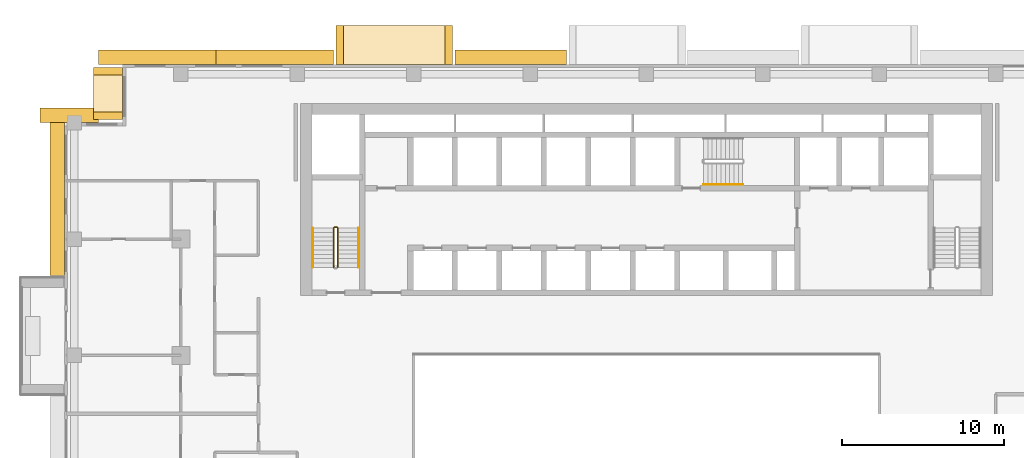
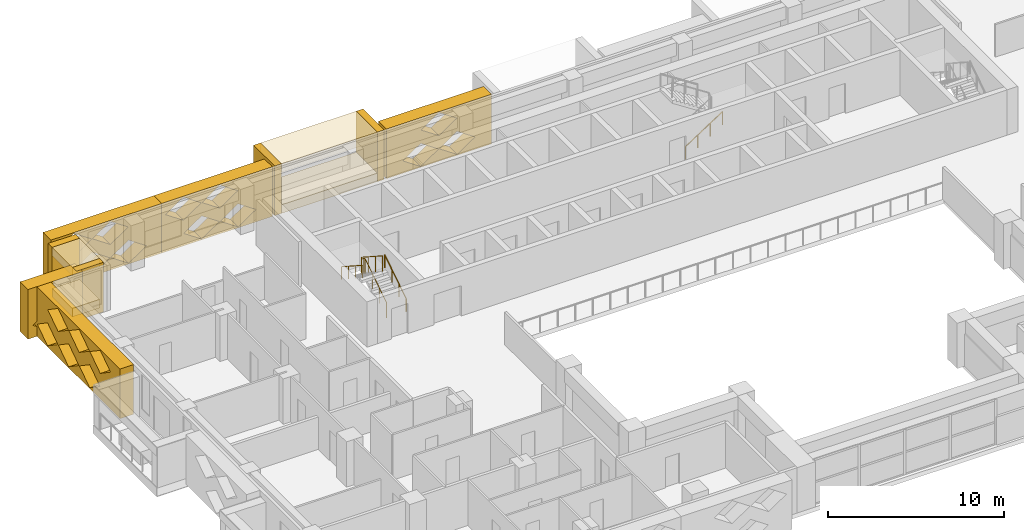
# One storey, part 17 of 19: 13 coverings, 4 railings.
"""IFC4 building model written with IfcOpenShell, lengths in metres."""

from ifc_helpers import new_model, si_unit, direction, frame, origin, origin_2d, place, context, subcontext, project, spatial, polyline, circle, outline, extrude, material, type_object, element, save


model = new_model("IFC4")

# Units and contexts
model_context = context("Model", 3, precision=1e-05, world=origin(), true_north=direction((0.0, 1.0)))
body_context = subcontext(model_context, "Body", "Model", "MODEL_VIEW")
ifc_project = project(units=[si_unit("LENGTHUNIT", "METRE"), si_unit("AREAUNIT", "SQUARE_METRE"), si_unit("VOLUMEUNIT", "CUBIC_METRE"), si_unit("PLANEANGLEUNIT", "RADIAN"), si_unit("MASSUNIT", "GRAM", prefix="KILO")], contexts=[model_context])

# Site, building, storey
site_placement = place(None, origin())
site = spatial("IfcSite", under=ifc_project, at=site_placement, CompositionType="ELEMENT")
building_placement = place(site_placement, origin())
building = spatial("IfcBuilding", under=site, at=building_placement, Name="Saffron Iwan Residences", CompositionType="ELEMENT")
storey_placement = place(building_placement, frame((0.0, 0.0, 134.0)))
storey = spatial("IfcBuildingStorey", under=building, at=storey_placement, Name="L35", CompositionType="ELEMENT", Elevation=134.0)

# Coverings
ifc_material_1 = material(Name="Precast concrete C40/50", Category="concrete")
covering_type_1 = type_object("IfcCoveringType", Name="OUTER SKIN LATTICE SCREEN", PredefinedType="CLADDING", material=ifc_material_1)
covering_1_placement = place(storey_placement, frame((45.449951171875, 80.39990234375, -0.300048828125), z_axis=(0.0, 1.0, 0.0), x_axis=(-1.0, 0.0, 0.0)))
element("IfcCovering", 1, at=covering_1_placement, inside=storey, type_object=covering_type_1, Name="OUTER SKIN lattice screen L35 F5.3", PredefinedType="CLADDING", context=body_context, shape_type="SweptSolid", body=[
    extrude(outline(polyline([(0.0, 0.0), (6.89990234375, 0.0), (6.89990234375, 3.449951171875), (0.0, 3.449951171875), (0.0, 0.0)]), holes=[polyline([(1.070068359375, 0.862548828125), (2.25, 0.06005859375), (3.429931640625, 0.862548828125), (2.25, 1.6650390625), (1.070068359375, 0.862548828125)]), polyline([(3.469970703125, 0.862548828125), (4.64990234375, 0.06005859375), (5.830078125, 0.862548828125), (4.64990234375, 1.6650390625), (3.469970703125, 0.862548828125)]), polyline([(2.27001953125, 2.58740234375), (3.449951171875, 1.784912109375), (4.6298828125, 2.58740234375), (3.449951171875, 3.389892578125), (2.27001953125, 2.58740234375)])]), origin(), (0.0, 0.0, 1.0), 0.900146484375),
])
covering_2_placement = place(storey_placement, frame((31.050048828125, 80.39990234375, -0.300048828125), z_axis=(0.0, 1.0, 0.0), x_axis=(-1.0, 0.0, 0.0)))
element("IfcCovering", 2, at=covering_2_placement, inside=storey, type_object=covering_type_1, Name="OUTER SKIN lattice screen L35 F5.4", PredefinedType="CLADDING", context=body_context, shape_type="SweptSolid", body=[
    extrude(outline(polyline([(0.0, 0.0), (7.27490234375, 0.0), (7.27490234375, 3.449951171875), (0.0, 3.449951171875), (0.0, 0.0)]), holes=[polyline([(1.070068359375, 0.862548828125), (2.25, 0.06005859375), (3.429931640625, 0.862548828125), (2.25, 1.6650390625), (1.070068359375, 0.862548828125)]), polyline([(3.469970703125, 0.862548828125), (4.64990234375, 0.06005859375), (5.830078125, 0.862548828125), (4.64990234375, 1.6650390625), (3.469970703125, 0.862548828125)]), polyline([(2.27001953125, 2.58740234375), (3.449951171875, 1.784912109375), (4.6298828125, 2.58740234375), (3.449951171875, 3.389892578125), (2.27001953125, 2.58740234375)]), polyline([(4.669921875, 2.58740234375), (5.85009765625, 1.784912109375), (7.030029296875, 2.58740234375), (5.85009765625, 3.389892578125), (4.669921875, 2.58740234375)])]), origin(), (0.0, 0.0, 1.0), 0.900146484375),
])
covering_3_placement = place(storey_placement, frame((23.77490234375, 80.39990234375, -0.300048828125), z_axis=(0.0, 1.0, 0.0), x_axis=(-1.0, 0.0, 0.0)))
element("IfcCovering", 3, at=covering_3_placement, inside=storey, type_object=covering_type_1, Name="OUTER SKIN lattice screen L35 F5.5", PredefinedType="CLADDING", context=body_context, shape_type="SweptSolid", body=[
    extrude(outline(polyline([(0.0, 0.0), (7.27490234375, 0.0), (7.27490234375, 3.449951171875), (0.0, 3.449951171875), (0.0, 0.0)]), holes=[polyline([(0.9951171875, 0.862548828125), (2.175048828125, 0.06005859375), (3.35498046875, 0.862548828125), (2.175048828125, 1.6650390625), (0.9951171875, 0.862548828125)]), polyline([(3.39501953125, 0.862548828125), (4.574951171875, 0.06005859375), (5.7548828125, 0.862548828125), (4.574951171875, 1.6650390625), (3.39501953125, 0.862548828125)]), polyline([(2.195068359375, 2.58740234375), (3.375, 1.784912109375), (4.554931640625, 2.58740234375), (3.375, 3.389892578125), (2.195068359375, 2.58740234375)]), polyline([(4.594970703125, 2.58740234375), (5.77490234375, 1.784912109375), (6.955078125, 2.58740234375), (5.77490234375, 3.389892578125), (4.594970703125, 2.58740234375)])]), origin(), (0.0, 0.0, 1.0), 0.900146484375),
])
covering_4_placement = place(storey_placement, frame((16.5, 76.800048828125, -0.300048828125), z_axis=(0.0, 1.0, 0.0), x_axis=(-1.0, 0.0, 0.0)))
element("IfcCovering", 4, at=covering_4_placement, inside=storey, type_object=covering_type_1, Name="OUTER SKIN lattice screen L35 F7.0", PredefinedType="CLADDING", context=body_context, shape_type="SweptSolid", body=[
    extrude(outline(polyline([(0.0, 0.0), (3.60009765625, 0.0), (3.60009765625, 3.449951171875), (0.0, 3.449951171875), (0.0, 0.0)]), holes=[polyline([(0.919921875, 0.862548828125), (2.10009765625, 0.06005859375), (3.280029296875, 0.862548828125), (2.10009765625, 1.6650390625), (0.919921875, 0.862548828125)])]), origin(), (0.0, 0.0, 1.0), 0.89990234375),
])
covering_5_placement = place(storey_placement, frame((14.39990234375, 77.699951171875, -0.300048828125), z_axis=(-1.0, 0.0, 0.0), x_axis=(0.0, -1.0, 0.0)))
element("IfcCovering", 5, at=covering_5_placement, inside=storey, type_object=covering_type_1, Name="OUTER SKIN lattice screen L35 F8.0", PredefinedType="CLADDING", context=body_context, shape_type="SweptSolid", body=[
    extrude(outline(polyline([(0.0, 0.0), (10.35009765625, 0.0), (10.35009765625, 3.449951171875), (0.0, 3.449951171875), (0.0, 0.0)]), holes=[polyline([(0.919921875, 0.862548828125), (2.10009765625, 0.06005859375), (3.280029296875, 0.862548828125), (2.10009765625, 1.6650390625), (0.919921875, 0.862548828125)]), polyline([(3.320068359375, 0.862548828125), (4.5, 0.06005859375), (5.679931640625, 0.862548828125), (4.5, 1.6650390625), (3.320068359375, 0.862548828125)]), polyline([(5.719970703125, 0.862548828125), (6.89990234375, 0.06005859375), (8.080078125, 0.862548828125), (6.89990234375, 1.6650390625), (5.719970703125, 0.862548828125)]), polyline([(2.1201171875, 2.58740234375), (3.300048828125, 1.784912109375), (4.47998046875, 2.58740234375), (3.300048828125, 3.389892578125), (2.1201171875, 2.58740234375)]), polyline([(4.52001953125, 2.58740234375), (5.699951171875, 1.784912109375), (6.8798828125, 2.58740234375), (5.699951171875, 3.389892578125), (4.52001953125, 2.58740234375)]), polyline([(6.919921875, 2.58740234375), (8.10009765625, 1.784912109375), (9.280029296875, 2.58740234375), (8.10009765625, 3.389892578125), (6.919921875, 2.58740234375)])]), origin(), (0.0, 0.0, 1.0), 0.89990234375),
])

# Railings
ifc_material_2 = material(Name="Steel S355", Category="steel")
railing_type_1 = type_object("IfcRailingType", Name="Stair guard 1100", PredefinedType="GUARDRAIL", material=ifc_material_2)
railing_1_placement = place(storey_placement, frame((31.300048828125, 67.85009765625, 0.175048828125)))
element("IfcRailing", 6, at=railing_1_placement, inside=storey, type_object=railing_type_1, Name="L35 ST-W stair guard 1", PredefinedType="GUARDRAIL", context=body_context, shape_type="SweptSolid", body=[
    extrude(circle(Radius=0.02392578125, at=origin_2d()), frame((0.0, 0.0, 1.076171875), z_axis=(0.0, 0.839153699163, 0.543894354798), x_axis=(-1.0, 0.0, 0.0)), (0.0, 0.0, 1.0), 2.895751953125),
    extrude(circle(Radius=0.02392578125, at=origin_2d()), frame((0.0, 2.429931640625, 2.65087890625), z_axis=(-0.707106781187, 0.707106781187, 0.0), x_axis=(-0.707106781187, -0.707106781187, 0.0)), (0.0, 0.0, 1.0), 0.07080078125),
    extrude(circle(Radius=0.02392578125, at=origin_2d()), frame((-0.050048828125, 2.47998046875, 2.65087890625), z_axis=(-1.0, 0.0, 0.0), x_axis=(0.0, -1.0, 0.0)), (0.0, 0.0, 1.0), 0.14990234375),
    extrude(circle(Radius=0.02392578125, at=origin_2d()), frame((-0.199951171875, 2.47998046875, 2.65087890625), z_axis=(-0.265065253269, -0.265065253269, 0.927081885822), x_axis=(0.707106781187, -0.707106781187, 0.0)), (0.0, 0.0, 1.0), 0.188720703125),
    extrude(circle(Radius=0.02392578125, at=origin_2d()), frame((-0.25, 2.429931640625, 2.826171875), z_axis=(0.0, -0.839153699163, 0.543894354798), x_axis=(1.0, 0.0, 0.0)), (0.0, 0.0, 1.0), 2.895751953125),
    extrude(circle(Radius=0.02099609375, at=origin_2d()), origin(), (0.0, 0.0, 1.0), 1.052001953125),
    extrude(circle(Radius=0.02099609375, at=origin_2d()), frame((0.0, 0.81005859375, 0.52490234375)), (0.0, 0.0, 1.0), 1.052001953125),
    extrude(circle(Radius=0.02099609375, at=origin_2d()), frame((0.0, 1.619873046875, 1.050048828125)), (0.0, 0.0, 1.0), 1.052001953125),
    extrude(circle(Radius=0.02099609375, at=origin_2d()), frame((0.0, 2.429931640625, 1.574951171875)), (0.0, 0.0, 1.0), 1.052001953125),
    extrude(circle(Radius=0.02099609375, at=origin_2d()), frame((-0.050048828125, 2.47998046875, 1.574951171875)), (0.0, 0.0, 1.0), 1.052001953125),
    extrude(circle(Radius=0.02099609375, at=origin_2d()), frame((-0.199951171875, 2.47998046875, 1.574951171875)), (0.0, 0.0, 1.0), 1.052001953125),
    extrude(circle(Radius=0.02099609375, at=origin_2d()), frame((-0.25, 2.429931640625, 1.75)), (0.0, 0.0, 1.0), 1.052001953125),
    extrude(circle(Radius=0.02099609375, at=origin_2d()), frame((-0.25, 1.619873046875, 2.27490234375)), (0.0, 0.0, 1.0), 1.052001953125),
    extrude(circle(Radius=0.02099609375, at=origin_2d()), frame((-0.25, 0.81005859375, 2.800048828125)), (0.0, 0.0, 1.0), 1.052001953125),
    extrude(circle(Radius=0.02099609375, at=origin_2d()), frame((-0.25, 0.0, 3.324951171875)), (0.0, 0.0, 1.0), 1.052001953125),
])
ifc_material_3 = material(Name="Stainless steel 316", Category="steel")
railing_type_2 = type_object("IfcRailingType", Name="Stair handrail 900", PredefinedType="HANDRAIL", material=ifc_material_3)
railing_2_placement = place(storey_placement, frame((32.60009765625, 67.85009765625, 0.175048828125)))
element("IfcRailing", 7, at=railing_2_placement, inside=storey, type_object=railing_type_2, Name="L35 ST-W stair handrail 1", PredefinedType="HANDRAIL", context=body_context, shape_type="SweptSolid", body=[
    extrude(circle(Radius=0.02392578125, at=origin_2d()), frame((0.0, 0.0, 0.8759765625), z_axis=(0.0, 0.839153699163, 0.543894354798), x_axis=(-1.0, 0.0, 0.0)), (0.0, 0.0, 1.0), 2.895751953125),
    extrude(circle(Radius=0.02099609375, at=origin_2d()), origin(), (0.0, 0.0, 1.0), 0.851806640625),
    extrude(circle(Radius=0.02099609375, at=origin_2d()), frame((0.0, 0.81005859375, 0.52490234375)), (0.0, 0.0, 1.0), 0.851806640625),
    extrude(circle(Radius=0.02099609375, at=origin_2d()), frame((0.0, 1.619873046875, 1.050048828125)), (0.0, 0.0, 1.0), 0.851806640625),
    extrude(circle(Radius=0.02099609375, at=origin_2d()), frame((0.0, 2.429931640625, 1.574951171875)), (0.0, 0.0, 1.0), 0.851806640625),
])
railing_3_placement = place(storey_placement, frame((29.75, 70.280029296875, 1.925048828125)))
element("IfcRailing", 8, at=railing_3_placement, inside=storey, type_object=railing_type_2, Name="L35 ST-W stair handrail 2", PredefinedType="HANDRAIL", context=body_context, shape_type="SweptSolid", body=[
    extrude(circle(Radius=0.02392578125, at=origin_2d()), frame((0.0, 0.0, 0.8759765625), z_axis=(0.0, -0.839153699163, 0.543894354798), x_axis=(1.0, 0.0, 0.0)), (0.0, 0.0, 1.0), 2.895751953125),
    extrude(circle(Radius=0.02099609375, at=origin_2d()), origin(), (0.0, 0.0, 1.0), 0.851806640625),
    extrude(circle(Radius=0.02099609375, at=origin_2d()), frame((0.0, -0.81005859375, 0.52490234375)), (0.0, 0.0, 1.0), 0.851806640625),
    extrude(circle(Radius=0.02099609375, at=origin_2d()), frame((0.0, -1.619873046875, 1.050048828125)), (0.0, 0.0, 1.0), 0.851806640625),
    extrude(circle(Radius=0.02099609375, at=origin_2d()), frame((0.0, -2.429931640625, 1.574951171875)), (0.0, 0.0, 1.0), 0.851806640625),
])
railing_4_placement = place(storey_placement, frame((53.925048828125, 72.97509765625, 0.175048828125)))
element("IfcRailing", 9, at=railing_4_placement, inside=storey, type_object=railing_type_2, Name="L35 ST-C stair handrail 1", PredefinedType="HANDRAIL", context=body_context, shape_type="SweptSolid", body=[
    extrude(circle(Radius=0.02392578125, at=origin_2d()), frame((0.0, 0.0, 0.8759765625), z_axis=(0.839153699163, 0.0, 0.543894354798), x_axis=(0.0, 1.0, 0.0)), (0.0, 0.0, 1.0), 2.895751953125),
    extrude(circle(Radius=0.02099609375, at=origin_2d()), origin(), (0.0, 0.0, 1.0), 0.851806640625),
    extrude(circle(Radius=0.02099609375, at=origin_2d()), frame((0.81005859375, 0.0, 0.52490234375)), (0.0, 0.0, 1.0), 0.851806640625),
    extrude(circle(Radius=0.02099609375, at=origin_2d()), frame((1.619873046875, 0.0, 1.050048828125)), (0.0, 0.0, 1.0), 0.851806640625),
    extrude(circle(Radius=0.02099609375, at=origin_2d()), frame((2.429931640625, 0.0, 1.574951171875)), (0.0, 0.0, 1.0), 0.851806640625),
])

# Coverings
ifc_material_4 = material(Name="Precast concrete C40/50 white painted", Category="concrete")
covering_type_2 = type_object("IfcCoveringType", Name="WHITE SUN FRAME PRECAST", PredefinedType="CLADDING", material=ifc_material_4)
for number, where, z_axis, x_axis, name in (
    (10, (38.39990234375, 80.39990234375, -0.300048828125), (0.0, 1.0, 0.0), (-1.0, 0.0, 0.0), "Sun frame L35 F5 44.4a"),
    (11, (31.64990234375, 80.39990234375, -0.300048828125), (0.0, 1.0, 0.0), (-1.0, 0.0, 0.0), "Sun frame L35 F5 44.4b"),
):
    element("IfcCovering", number, at=place(storey_placement, frame(where, z_axis=z_axis, x_axis=x_axis)), inside=storey, type_object=covering_type_2, Name=name, PredefinedType="CLADDING", context=body_context, shape_type="SweptSolid", body=[
        extrude(outline(polyline([(0.0, 0.0), (0.449951171875, 0.0), (0.449951171875, 3.449951171875), (0.0, 3.449951171875), (0.0, 0.0)])), origin(), (0.0, 0.0, 1.0), 2.400146484375),
    ])
for number, where, z_axis, x_axis, name in (
    (12, (37.949951171875, 80.39990234375, 2.550048828125), (0.0, 1.0, 0.0), (-1.0, 0.0, 0.0), "Sun frame L35 F5 44.4h"),
    (13, (37.949951171875, 80.39990234375, -0.300048828125), (0.0, 1.0, 0.0), (-1.0, 0.0, 0.0), "Sun frame L35 F5 44.4s"),
):
    element("IfcCovering", number, at=place(storey_placement, frame(where, z_axis=z_axis, x_axis=x_axis)), inside=storey, type_object=covering_type_2, Name=name, PredefinedType="CLADDING", context=body_context, shape_type="SweptSolid", body=[
        extrude(outline(polyline([(0.0, 0.0), (6.300048828125, 0.0), (6.300048828125, 0.60009765625), (0.0, 0.60009765625), (0.0, 0.0)])), origin(), (0.0, 0.0, 1.0), 2.400146484375),
    ])
for number, where, z_axis, x_axis, name in (
    (14, (18.0, 80.199951171875, -0.300048828125), (-1.0, 0.0, 0.0), (0.0, -1.0, 0.0), "Sun frame L35 F6 0.2a"),
    (15, (18.0, 77.449951171875, -0.300048828125), (-1.0, 0.0, 0.0), (0.0, -1.0, 0.0), "Sun frame L35 F6 0.2b"),
):
    element("IfcCovering", number, at=place(storey_placement, frame(where, z_axis=z_axis, x_axis=x_axis)), inside=storey, type_object=covering_type_2, Name=name, PredefinedType="CLADDING", context=body_context, shape_type="SweptSolid", body=[
        extrude(outline(polyline([(0.0, 0.0), (0.449951171875, 0.0), (0.449951171875, 3.449951171875), (0.0, 3.449951171875), (0.0, 0.0)])), origin(), (0.0, 0.0, 1.0), 1.800048828125),
    ])
for number, where, z_axis, x_axis, name in (
    (16, (18.0, 79.75, 2.550048828125), (-1.0, 0.0, 0.0), (0.0, -1.0, 0.0), "Sun frame L35 F6 0.2h"),
    (17, (18.0, 79.75, -0.300048828125), (-1.0, 0.0, 0.0), (0.0, -1.0, 0.0), "Sun frame L35 F6 0.2s"),
):
    element("IfcCovering", number, at=place(storey_placement, frame(where, z_axis=z_axis, x_axis=x_axis)), inside=storey, type_object=covering_type_2, Name=name, PredefinedType="CLADDING", context=body_context, shape_type="SweptSolid", body=[
        extrude(outline(polyline([(0.0, 0.0), (2.300048828125, 0.0), (2.300048828125, 0.60009765625), (0.0, 0.60009765625), (0.0, 0.0)])), origin(), (0.0, 0.0, 1.0), 1.800048828125),
    ])

save(model, "model.ifc")
